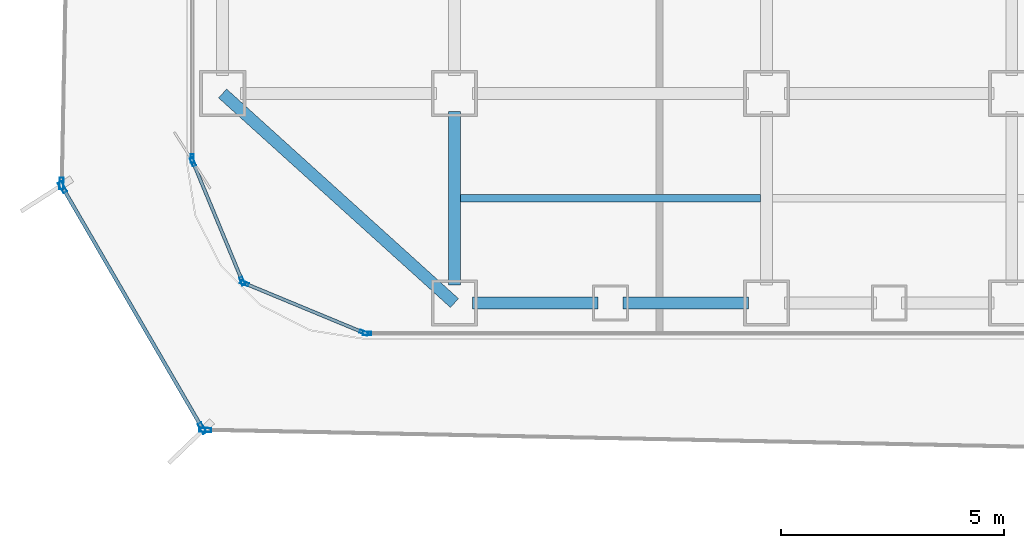
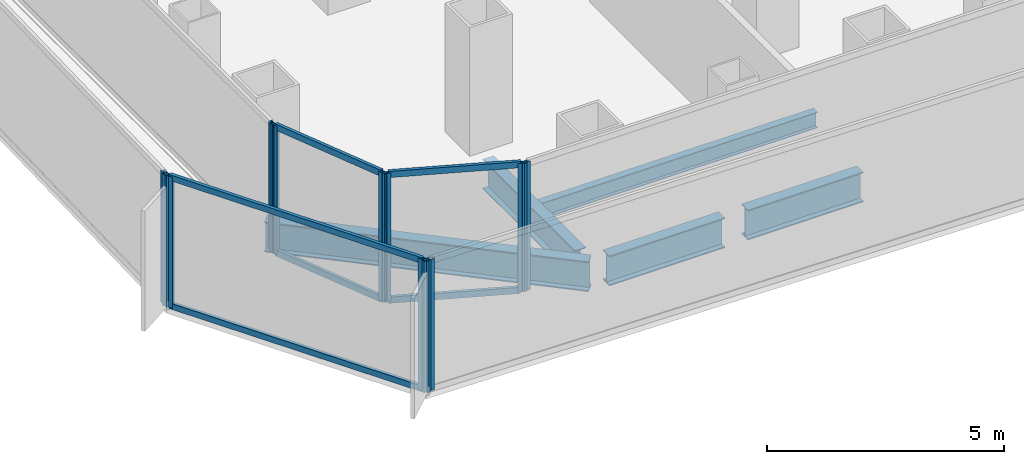
# One storey, part 2 of 21: 16 members, 5 beams, 7 elements without a shape of their own.
"""IFC4 building model written with IfcOpenShell, lengths in metres."""

from ifc_helpers import new_model, si_unit, direction, frame, origin, origin_2d, place, context, subcontext, project, spatial, hollow_rectangle, i_section, extrude, source, transform, mapped, material, layer, layer_set, material_profile, profile_set, type_object, element, aggregate, save


model = new_model("IFC4")

# Units and contexts
model_context = context("Model", 3, precision=1e-05, world=origin(), true_north=direction((0.0, 1.0)))
body_context = subcontext(model_context, "Body", "Model", "MODEL_VIEW")
ifc_project = project(units=[si_unit("LENGTHUNIT", "METRE"), si_unit("AREAUNIT", "SQUARE_METRE"), si_unit("VOLUMEUNIT", "CUBIC_METRE"), si_unit("PLANEANGLEUNIT", "RADIAN"), si_unit("MASSUNIT", "GRAM", prefix="KILO")], contexts=[model_context])

# Site, building, storey
site_placement = place(None, origin())
site = spatial("IfcSite", under=ifc_project, at=site_placement, CompositionType="ELEMENT")
building_placement = place(site_placement, origin())
building = spatial("IfcBuilding", under=site, at=building_placement, Name="Kolveth Station Tower", CompositionType="ELEMENT")
storey_placement = place(building_placement, frame((0.0, 0.0, 44.10009765625)))
storey = spatial("IfcBuildingStorey", under=building, at=storey_placement, Name="L11", CompositionType="ELEMENT", Elevation=44.10009765625)

# Beams
ifc_material_1 = material(Name="Steel S355", Category="steel")
ifc_material_profile_1 = material_profile(ifc_material_1, i_section(OverallWidth=0.26904296875, OverallDepth=0.77490234375, WebThickness=0.01708984375, FlangeThickness=0.0283203125, at=origin_2d()), Name="W760x220")
ifc_profile_set_1 = profile_set([ifc_material_profile_1], Name="Steel S355")
beam_type_1 = type_object("IfcBeamType", Name="Beam_SP1", PredefinedType="SPANDREL", material=ifc_profile_set_1)
shared_shape_1 = source(origin(), body_context, "Body", "SweptSolid", [
    extrude(i_section(OverallWidth=0.26904296875, OverallDepth=0.77490234375, WebThickness=0.01708984375, FlangeThickness=0.0283203125, at=origin_2d()), origin(), (0.0, 0.0, 1.0), 7.00927734375),
])
beam_1_placement = place(storey_placement, frame((0.800048828125, 5.5, -0.66748046875), z_axis=(0.741874009795, -0.670539300557, 0.0), x_axis=(0.670539300557, 0.741874009795, 0.0)))
element("IfcBeam", 1, at=beam_1_placement, inside=storey, type_object=beam_type_1, Name="L11 Corner Edge Girder BM-L11-CNR-SW", PredefinedType="SPANDREL", context=body_context, shape_type="MappedRepresentation", body=[
    mapped(shared_shape_1, transform((0.0, 0.0, 0.0), x_axis=(1.0, 0.0, 0.0), y_axis=(0.0, 1.0, 0.0), z_axis=(0.0, 0.0, 1.0), scale=1.0)),
])
shared_shape_2 = source(origin(), body_context, "Body", "SweptSolid", [
    extrude(i_section(OverallWidth=0.26904296875, OverallDepth=0.77490234375, WebThickness=0.01708984375, FlangeThickness=0.0283203125, at=origin_2d()), origin(), (0.0, 0.0, 1.0), 2.820068359375),
])
for number, where, z_axis, x_axis, name in (
    (2, (6.39990234375, 0.800048828125, -0.66748046875), (1.0, 0.0, 0.0), (0.0, 1.0, 0.0), "L11 Perimeter Spandrel BM-L11-PS-1"),
    (3, (9.780029296875, 0.800048828125, -0.66748046875), (1.0, 0.0, 0.0), (0.0, 1.0, 0.0), "L11 Perimeter Spandrel BM-L11-PS-2"),
):
    element("IfcBeam", number, at=place(storey_placement, frame(where, z_axis=z_axis, x_axis=x_axis)), inside=storey, type_object=beam_type_1, Name=name, PredefinedType="SPANDREL", context=body_context, shape_type="MappedRepresentation", body=[
        mapped(shared_shape_2, transform((0.0, 0.0, 0.0), x_axis=(1.0, 0.0, 0.0), y_axis=(0.0, 1.0, 0.0), z_axis=(0.0, 0.0, 1.0), scale=1.0)),
    ])
ifc_material_profile_2 = material_profile(ifc_material_1, i_section(OverallWidth=0.26708984375, OverallDepth=0.76611328125, WebThickness=0.014892578125, FlangeThickness=0.023681640625, at=origin_2d()), Name="W760x185")
ifc_profile_set_2 = profile_set([ifc_material_profile_2], Name="Steel S355")
beam_type_2 = type_object("IfcBeamType", Name="Beam_B3", PredefinedType="BEAM", material=ifc_profile_set_2)
shared_shape_3 = source(origin(), body_context, "Body", "SweptSolid", [
    extrude(i_section(OverallWidth=0.26708984375, OverallDepth=0.76611328125, WebThickness=0.014892578125, FlangeThickness=0.023681640625, at=origin_2d()), origin(), (0.0, 0.0, 1.0), 3.900146484375),
])
beam_2_placement = place(storey_placement, frame((6.0, 1.199951171875, -0.6630859375), z_axis=(0.0, 1.0, 0.0), x_axis=(-1.0, 0.0, 0.0)))
element("IfcBeam", 4, at=beam_2_placement, inside=storey, type_object=beam_type_2, Name="L11 Primary Girder BM-L11-GX60-1", PredefinedType="BEAM", context=body_context, shape_type="MappedRepresentation", body=[
    mapped(shared_shape_3, transform((0.0, 0.0, 0.0), x_axis=(1.0, 0.0, 0.0), y_axis=(0.0, 1.0, 0.0), z_axis=(0.0, 0.0, 1.0), scale=1.0)),
])
ifc_material_profile_3 = material_profile(ifc_material_1, i_section(OverallWidth=0.177978515625, OverallDepth=0.406982421875, WebThickness=0.0078125, FlangeThickness=0.0126953125, at=origin_2d()), Name="W410x60")
ifc_profile_set_3 = profile_set([ifc_material_profile_3], Name="Steel S355")
beam_type_3 = type_object("IfcBeamType", Name="Beam_J1", PredefinedType="JOIST", material=ifc_profile_set_3)
shared_shape_4 = source(origin(), body_context, "Body", "SweptSolid", [
    extrude(i_section(OverallWidth=0.177978515625, OverallDepth=0.406982421875, WebThickness=0.0078125, FlangeThickness=0.0126953125, at=origin_2d()), origin(), (0.0, 0.0, 1.0), 6.73681640625),
])
beam_3_placement = place(storey_placement, frame((6.131591796875, 3.14990234375, -0.483642578125), z_axis=(1.0, 0.0, 0.0), x_axis=(0.0, 1.0, 0.0)))
element("IfcBeam", 5, at=beam_3_placement, inside=storey, type_object=beam_type_3, Name="L11 Secondary Joist JST-L11-2-1", PredefinedType="JOIST", context=body_context, shape_type="MappedRepresentation", body=[
    mapped(shared_shape_4, transform((0.0, 0.0, 0.0), x_axis=(1.0, 0.0, 0.0), y_axis=(0.0, 1.0, 0.0), z_axis=(0.0, 0.0, 1.0), scale=1.0)),
])

# Curtain wall, members
ifc_material_2 = material(Name="Aluminium 6063-T6 and low-E dark glass", Category="aluminium")
ifc_layer_1 = layer(ifc_material_2, 0.179931640625)
ifc_layer_set_1 = layer_set([ifc_layer_1], Name="Aluminium 6063-T6 and low-E dark glass")
curtain_wall_type_1 = type_object("IfcCurtainWallType", Name="CurtainWall_CW-Z1", PredefinedType="NOTDEFINED", material=ifc_layer_set_1)
curtain_wall_1_placement = place(storey_placement, origin())
curtain_wall_1 = element("IfcCurtainWall", 6, at=curtain_wall_1_placement, inside=storey, type_object=curtain_wall_type_1, Name="L11 Inner Thermal Curtain Wall 10", PredefinedType="NOTDEFINED")
ifc_material_3 = material(Name="Black anodized aluminium 6063-T6", Category="aluminium")
ifc_material_profile_4 = material_profile(ifc_material_3, hollow_rectangle(XDim=0.074951171875, YDim=0.159912109375, WallThickness=0.0048828125, at=origin_2d()), Name="ALU-75x160x5")
ifc_profile_set_4 = profile_set([ifc_material_profile_4], Name="Black anodized aluminium 6063-T6")
member_type_1 = type_object("IfcMemberType", Name="Transom_TR1", PredefinedType="USERDEFINED", material=ifc_profile_set_4)
shared_shape_5 = source(origin(), body_context, "Body", "SweptSolid", [
    extrude(hollow_rectangle(XDim=0.074951171875, YDim=0.159912109375, WallThickness=0.0048828125, at=origin_2d()), origin(), (0.0, 0.0, 1.0), 2.819580078125),
])
member_1_placement = place(storey_placement, frame((0.148681640625, 3.9306640625, 0.037353515625), z_axis=(0.382708655389, -0.923869084389, 0.0), x_axis=(0.923869084389, 0.382708655389, 0.0)))
member_1 = element("IfcMember", 7, at=member_1_placement, type_object=member_type_1, Name="CW-Z1 transom 1.1", ObjectType="TRANSOM", PredefinedType="USERDEFINED", context=body_context, shape_type="MappedRepresentation", body=[
    mapped(shared_shape_5, transform((0.0, 0.0, 0.0), x_axis=(1.0, 0.0, 0.0), y_axis=(0.0, 1.0, 0.0), z_axis=(0.0, 0.0, 1.0), scale=1.0)),
])
member_2_placement = place(storey_placement, frame((0.148681640625, 3.9306640625, 3.282470703125), z_axis=(0.382708655389, -0.923869084389, 0.0), x_axis=(0.923869084389, 0.382708655389, 0.0)))
member_2 = element("IfcMember", 8, at=member_2_placement, type_object=member_type_1, Name="CW-Z1 transom 1.2", ObjectType="TRANSOM", PredefinedType="USERDEFINED", context=body_context, shape_type="MappedRepresentation", body=[
    mapped(shared_shape_5, transform((0.0, 0.0, 0.0), x_axis=(1.0, 0.0, 0.0), y_axis=(0.0, 1.0, 0.0), z_axis=(0.0, 0.0, 1.0), scale=1.0)),
])

curtain_wall_2_placement = place(storey_placement, origin())
curtain_wall_2 = element("IfcCurtainWall", 9, at=curtain_wall_2_placement, inside=storey, type_object=curtain_wall_type_1, Name="L11 Inner Thermal Curtain Wall 11", PredefinedType="NOTDEFINED")
member_3_placement = place(storey_placement, frame((1.32568359375, 1.227783203125, 0.037353515625), z_axis=(0.923869084389, -0.382708655389, 0.0), x_axis=(0.382708655389, 0.923869084389, 0.0)))
member_3 = element("IfcMember", 10, at=member_3_placement, type_object=member_type_1, Name="CW-Z1 transom 1.1", ObjectType="TRANSOM", PredefinedType="USERDEFINED", context=body_context, shape_type="MappedRepresentation", body=[
    mapped(shared_shape_5, transform((0.0, 0.0, 0.0), x_axis=(1.0, 0.0, 0.0), y_axis=(0.0, 1.0, 0.0), z_axis=(0.0, 0.0, 1.0), scale=1.0)),
])
member_4_placement = place(storey_placement, frame((1.32568359375, 1.227783203125, 3.282470703125), z_axis=(0.923869084389, -0.382708655389, 0.0), x_axis=(0.382708655389, 0.923869084389, 0.0)))
member_4 = element("IfcMember", 11, at=member_4_placement, type_object=member_type_1, Name="CW-Z1 transom 1.2", ObjectType="TRANSOM", PredefinedType="USERDEFINED", context=body_context, shape_type="MappedRepresentation", body=[
    mapped(shared_shape_5, transform((0.0, 0.0, 0.0), x_axis=(1.0, 0.0, 0.0), y_axis=(0.0, 1.0, 0.0), z_axis=(0.0, 0.0, 1.0), scale=1.0)),
])

# Curtain wall, member
ifc_material_4 = material(Name="Black anodized aluminium 6063-T6 and dark solar glass", Category="aluminium")
ifc_layer_2 = layer(ifc_material_4, 0.159912109375)
ifc_layer_set_2 = layer_set([ifc_layer_2], Name="Black anodized aluminium 6063-T6 and dark solar glass")
curtain_wall_type_2 = type_object("IfcCurtainWallType", Name="OUTER SKIN CW-OS", PredefinedType="NOTDEFINED", material=ifc_layer_set_2)
curtain_wall_3_placement = place(storey_placement, origin())
curtain_wall_3 = element("IfcCurtainWall", 12, at=curtain_wall_3_placement, inside=storey, type_object=curtain_wall_type_2, Name="L11 Outer Ventilated Skin Curtain Wall 6", PredefinedType="NOTDEFINED")
ifc_material_profile_5 = material_profile(ifc_material_3, hollow_rectangle(XDim=0.090087890625, YDim=0.260009765625, WallThickness=0.0048828125, at=origin_2d()), Name="ALU-90x260x5")
ifc_profile_set_5 = profile_set([ifc_material_profile_5], Name="Black anodized aluminium 6063-T6")
member_type_2 = type_object("IfcMemberType", Name="FIN MULLION ML-OS", PredefinedType="MULLION", material=ifc_profile_set_5)
shared_shape_6 = source(origin(), body_context, "Body", "SweptSolid", [
    extrude(hollow_rectangle(XDim=0.090087890625, YDim=0.260009765625, WallThickness=0.0048828125, at=origin_2d()), origin(), (0.0, 0.0, 1.0), 3.389892578125),
])
member_5_placement = place(storey_placement, frame((-2.813232421875, 3.482177734375, 0.0), z_axis=(0.0, 0.0, 1.0), x_axis=(0.999804168414, -0.019789512944, 0.0)))
member_5 = element("IfcMember", 13, at=member_5_placement, type_object=member_type_2, Name="CW-OS mullion 2", PredefinedType="MULLION", context=body_context, shape_type="MappedRepresentation", body=[
    mapped(shared_shape_6, transform((0.0, 0.0, 0.0), x_axis=(1.0, 0.0, 0.0), y_axis=(0.0, 1.0, 0.0), z_axis=(0.0, 0.0, 1.0), scale=1.0)),
])
aggregate(curtain_wall_3, [member_5])

# Curtain wall, members
curtain_wall_4_placement = place(storey_placement, origin())
curtain_wall_4 = element("IfcCurtainWall", 14, at=curtain_wall_4_placement, inside=storey, type_object=curtain_wall_type_2, Name="L11 Outer Ventilated Skin Curtain Wall 7", PredefinedType="NOTDEFINED")
member_6_placement = place(storey_placement, frame((-2.79150390625, 3.398193359375, 0.0), z_axis=(0.0, 0.0, 1.0), x_axis=(0.865007221993, 0.501759410375, 0.0)))
member_6 = element("IfcMember", 15, at=member_6_placement, type_object=member_type_2, Name="CW-OS mullion 1", PredefinedType="MULLION", context=body_context, shape_type="MappedRepresentation", body=[
    mapped(shared_shape_6, transform((0.0, 0.0, 0.0), x_axis=(1.0, 0.0, 0.0), y_axis=(0.0, 1.0, 0.0), z_axis=(0.0, 0.0, 1.0), scale=1.0)),
])
member_7_placement = place(storey_placement, frame((0.343505859375, -2.006591796875, 0.0), z_axis=(0.0, 0.0, 1.0), x_axis=(0.865007221993, 0.501759410375, 0.0)))
member_7 = element("IfcMember", 16, at=member_7_placement, type_object=member_type_2, Name="CW-OS mullion 2", PredefinedType="MULLION", context=body_context, shape_type="MappedRepresentation", body=[
    mapped(shared_shape_6, transform((0.0, 0.0, 0.0), x_axis=(1.0, 0.0, 0.0), y_axis=(0.0, 1.0, 0.0), z_axis=(0.0, 0.0, 1.0), scale=1.0)),
])

# Curtain wall, member
curtain_wall_5_placement = place(storey_placement, origin())
curtain_wall_5 = element("IfcCurtainWall", 17, at=curtain_wall_5_placement, inside=storey, type_object=curtain_wall_type_2, Name="L11 Outer Ventilated Skin Curtain Wall 8", PredefinedType="NOTDEFINED")
member_8_placement = place(storey_placement, frame((0.410888671875, -2.04638671875, 0.0), z_axis=(0.0, 0.0, 1.0), x_axis=(0.020609842001, 0.999787594648, 0.0)))
member_8 = element("IfcMember", 18, at=member_8_placement, type_object=member_type_2, Name="CW-OS mullion 1", PredefinedType="MULLION", context=body_context, shape_type="MappedRepresentation", body=[
    mapped(shared_shape_6, transform((0.0, 0.0, 0.0), x_axis=(1.0, 0.0, 0.0), y_axis=(0.0, 1.0, 0.0), z_axis=(0.0, 0.0, 1.0), scale=1.0)),
])
aggregate(curtain_wall_5, [member_8])

curtain_wall_6_placement = place(storey_placement, origin())
curtain_wall_6 = element("IfcCurtainWall", 19, at=curtain_wall_6_placement, inside=storey, type_object=curtain_wall_type_1, Name="L11 Inner Thermal Curtain Wall 9", PredefinedType="NOTDEFINED")
ifc_material_profile_6 = material_profile(ifc_material_3, hollow_rectangle(XDim=0.074951171875, YDim=0.18994140625, WallThickness=0.0048828125, at=origin_2d()), Name="ALU-75x190x5")
ifc_profile_set_6 = profile_set([ifc_material_profile_6], Name="Black anodized aluminium 6063-T6")
member_type_3 = type_object("IfcMemberType", Name="Mullion_ML1", PredefinedType="MULLION", material=ifc_profile_set_6)
shared_shape_7 = source(origin(), body_context, "Body", "SweptSolid", [
    extrude(hollow_rectangle(XDim=0.074951171875, YDim=0.18994140625, WallThickness=0.0048828125, at=origin_2d()), origin(), (0.0, 0.0, 1.0), 3.31982421875),
])
member_9_placement = place(storey_placement, frame((0.1201171875, 4.03759765625, 0.0), z_axis=(0.0, 0.0, 1.0), x_axis=(1.0, 0.0, 0.0)))
member_9 = element("IfcMember", 20, at=member_9_placement, type_object=member_type_3, Name="CW-Z1 mullion 2", PredefinedType="MULLION", context=body_context, shape_type="MappedRepresentation", body=[
    mapped(shared_shape_7, transform((0.0, 0.0, 0.0), x_axis=(1.0, 0.0, 0.0), y_axis=(0.0, 1.0, 0.0), z_axis=(0.0, 0.0, 1.0), scale=1.0)),
])
aggregate(curtain_wall_6, [member_9])

# Member
member_10_placement = place(storey_placement, frame((0.13427734375, 3.96533203125, 0.0), z_axis=(0.0, 0.0, 1.0), x_axis=(0.923883857728, 0.382672990201, 0.0)))
member_10 = element("IfcMember", 21, at=member_10_placement, type_object=member_type_3, Name="CW-Z1 mullion 1", PredefinedType="MULLION", context=body_context, shape_type="MappedRepresentation", body=[
    mapped(shared_shape_7, transform((0.0, 0.0, 0.0), x_axis=(1.0, 0.0, 0.0), y_axis=(0.0, 1.0, 0.0), z_axis=(0.0, 0.0, 1.0), scale=1.0)),
])

member_11_placement = place(storey_placement, frame((1.241943359375, 1.291015625, 0.0), z_axis=(0.0, 0.0, 1.0), x_axis=(0.923883857728, 0.382672990201, 0.0)))
member_11 = element("IfcMember", 22, at=member_11_placement, type_object=member_type_3, Name="CW-Z1 mullion 2", PredefinedType="MULLION", context=body_context, shape_type="MappedRepresentation", body=[
    mapped(shared_shape_7, transform((0.0, 0.0, 0.0), x_axis=(1.0, 0.0, 0.0), y_axis=(0.0, 1.0, 0.0), z_axis=(0.0, 0.0, 1.0), scale=1.0)),
])

aggregate(curtain_wall_1, [member_10, member_11, member_1, member_2])

member_12_placement = place(storey_placement, frame((1.291015625, 1.241943359375, 0.0), z_axis=(0.0, 0.0, 1.0), x_axis=(0.382672990201, 0.923883857728, 0.0)))
member_12 = element("IfcMember", 23, at=member_12_placement, type_object=member_type_3, Name="CW-Z1 mullion 1", PredefinedType="MULLION", context=body_context, shape_type="MappedRepresentation", body=[
    mapped(shared_shape_7, transform((0.0, 0.0, 0.0), x_axis=(1.0, 0.0, 0.0), y_axis=(0.0, 1.0, 0.0), z_axis=(0.0, 0.0, 1.0), scale=1.0)),
])

member_13_placement = place(storey_placement, frame((3.96533203125, 0.13427734375, 0.0), z_axis=(0.0, 0.0, 1.0), x_axis=(0.382672990201, 0.923883857728, 0.0)))
member_13 = element("IfcMember", 24, at=member_13_placement, type_object=member_type_3, Name="CW-Z1 mullion 2", PredefinedType="MULLION", context=body_context, shape_type="MappedRepresentation", body=[
    mapped(shared_shape_7, transform((0.0, 0.0, 0.0), x_axis=(1.0, 0.0, 0.0), y_axis=(0.0, 1.0, 0.0), z_axis=(0.0, 0.0, 1.0), scale=1.0)),
])

aggregate(curtain_wall_2, [member_12, member_13, member_3, member_4])

# Curtain wall, member
curtain_wall_7_placement = place(storey_placement, origin())
curtain_wall_7 = element("IfcCurtainWall", 25, at=curtain_wall_7_placement, inside=storey, type_object=curtain_wall_type_1, Name="L11 Inner Thermal Curtain Wall 12", PredefinedType="NOTDEFINED")
member_14_placement = place(storey_placement, frame((4.03759765625, 0.1201171875, 0.0), z_axis=(0.0, 0.0, 1.0), x_axis=(0.0, 1.0, 0.0)))
member_14 = element("IfcMember", 26, at=member_14_placement, type_object=member_type_3, Name="CW-Z1 mullion 1", PredefinedType="MULLION", context=body_context, shape_type="MappedRepresentation", body=[
    mapped(shared_shape_7, transform((0.0, 0.0, 0.0), x_axis=(1.0, 0.0, 0.0), y_axis=(0.0, 1.0, 0.0), z_axis=(0.0, 0.0, 1.0), scale=1.0)),
])
aggregate(curtain_wall_7, [member_14])

# Member
ifc_material_profile_7 = material_profile(ifc_material_3, hollow_rectangle(XDim=0.080078125, YDim=0.14990234375, WallThickness=0.0048828125, at=origin_2d()), Name="ALU-80x150x5")
ifc_profile_set_7 = profile_set([ifc_material_profile_7], Name="Black anodized aluminium 6063-T6")
member_type_4 = type_object("IfcMemberType", Name="Transom_TR-OS", PredefinedType="USERDEFINED", material=ifc_profile_set_7)
shared_shape_8 = source(origin(), body_context, "Body", "SweptSolid", [
    extrude(hollow_rectangle(XDim=0.080078125, YDim=0.14990234375, WallThickness=0.0048828125, at=origin_2d()), origin(), (0.0, 0.0, 1.0), 6.157958984375),
])
member_15_placement = place(storey_placement, frame((-2.76904296875, 3.359130859375, 0.039794921875), z_axis=(0.501764368855, -0.865004345739, 0.0), x_axis=(0.865004345739, 0.501764368855, 0.0)))
member_15 = element("IfcMember", 27, at=member_15_placement, type_object=member_type_4, Name="CW-OS transom 1.1", ObjectType="TRANSOM", PredefinedType="USERDEFINED", context=body_context, shape_type="MappedRepresentation", body=[
    mapped(shared_shape_8, transform((0.0, 0.0, 0.0), x_axis=(1.0, 0.0, 0.0), y_axis=(0.0, 1.0, 0.0), z_axis=(0.0, 0.0, 1.0), scale=1.0)),
])

member_16_placement = place(storey_placement, frame((-2.76904296875, 3.359130859375, 3.349853515625), z_axis=(0.501764368855, -0.865004345739, 0.0), x_axis=(0.865004345739, 0.501764368855, 0.0)))
member_16 = element("IfcMember", 28, at=member_16_placement, type_object=member_type_4, Name="CW-OS transom 1.2", ObjectType="TRANSOM", PredefinedType="USERDEFINED", context=body_context, shape_type="MappedRepresentation", body=[
    mapped(shared_shape_8, transform((0.0, 0.0, 0.0), x_axis=(1.0, 0.0, 0.0), y_axis=(0.0, 1.0, 0.0), z_axis=(0.0, 0.0, 1.0), scale=1.0)),
])

aggregate(curtain_wall_4, [member_6, member_7, member_15, member_16])

save(model, "model.ifc")
